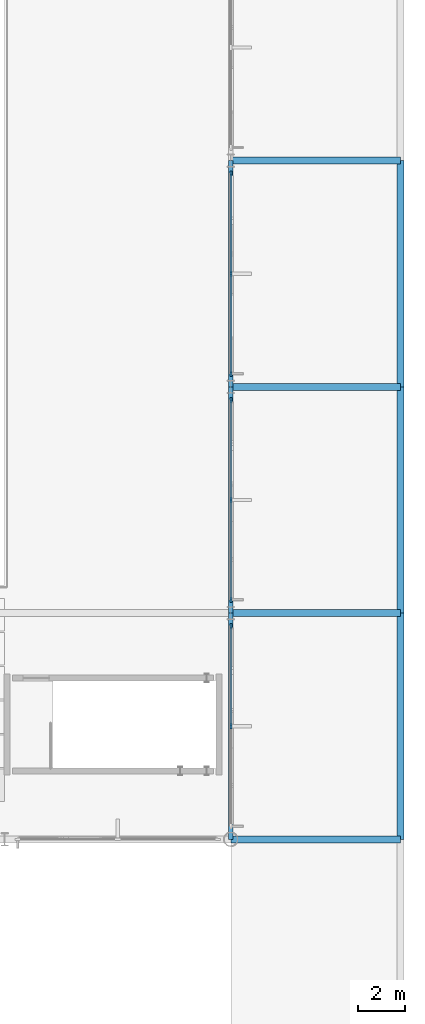
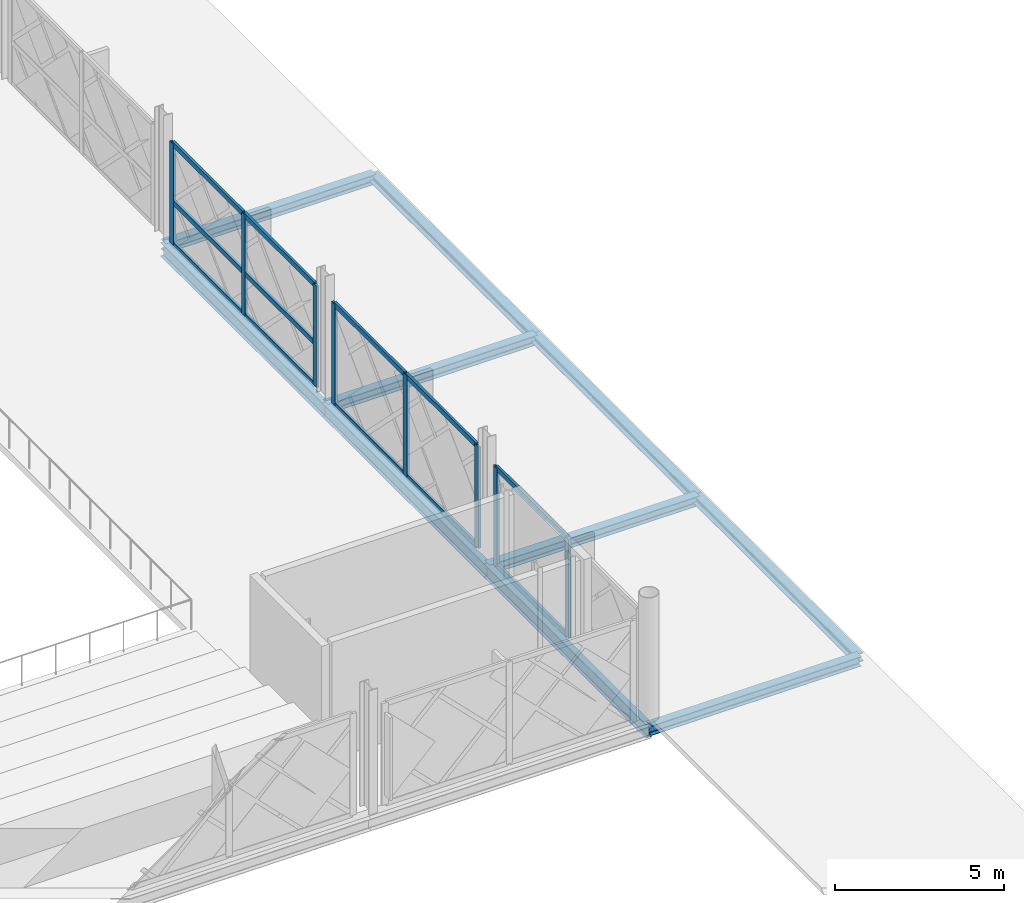
# One storey, part 56 of 101: 20 members, 10 beams, 3 elements without a shape of their own.
"""IFC4 building model written with IfcOpenShell, lengths in metres."""

from ifc_helpers import new_model, si_unit, direction, frame, origin, origin_2d, place, context, subcontext, project, spatial, rectangle, i_section, extrude, material, layer, layer_set, material_profile, profile_set, type_object, element, aggregate, save


model = new_model("IFC4")

# Units and contexts
model_context = context("Model", 3, precision=1e-05, world=origin(), true_north=direction((0.0, 1.0)))
body_context = subcontext(model_context, "Body", "Model", "MODEL_VIEW")
ifc_project = project(units=[si_unit("LENGTHUNIT", "METRE"), si_unit("AREAUNIT", "SQUARE_METRE"), si_unit("VOLUMEUNIT", "CUBIC_METRE"), si_unit("PLANEANGLEUNIT", "RADIAN"), si_unit("MASSUNIT", "GRAM", prefix="KILO")], contexts=[model_context])

# Site, building, storey
site_placement = place(None, origin())
site = spatial("IfcSite", under=ifc_project, at=site_placement, CompositionType="ELEMENT")
building_placement = place(site_placement, origin())
building = spatial("IfcBuilding", under=site, at=building_placement, Name="Zevrakil Square Congress Hotel", CompositionType="ELEMENT")
storey_placement = place(building_placement, frame((0.0, 0.0, 5.39990234375)))
storey = spatial("IfcBuildingStorey", under=building, at=storey_placement, Name="L02", CompositionType="ELEMENT", Elevation=5.39990234375)

# Beams
ifc_material_1 = material(Name="Steel S355", Category="steel")
ifc_material_profile_1 = material_profile(ifc_material_1, i_section(OverallWidth=0.300048828125, OverallDepth=0.35009765625, WebThickness=0.010009765625, FlangeThickness=0.017578125, FilletRadius=0.027099609375, at=origin_2d()), Name="HEA 360")
ifc_profile_set_1 = profile_set([ifc_material_profile_1], Name="Steel S355")
beam_type_1 = type_object("IfcBeamType", Name="BM-HEA360", PredefinedType="BEAM", material=ifc_profile_set_1)
for number, where, z_axis, x_axis, name in (
    (1, (165.60009765625, 64.800048828125, -0.434814453125), (1.0, 0.0, 0.0), (0.0, 1.0, 0.0), "L02 primary girder BX-0759"),
    (2, (165.60009765625, 74.39990234375, -0.434814453125), (1.0, 0.0, 0.0), (0.0, 1.0, 0.0), "L02 primary girder BX-0768"),
    (3, (165.60009765625, 84.0, -0.434814453125), (1.0, 0.0, 0.0), (0.0, 1.0, 0.0), "L02 primary girder BX-0778"),
    (4, (165.60009765625, 93.60009765625, -0.434814453125), (1.0, 0.0, 0.0), (0.0, 1.0, 0.0), "L02 primary girder BX-0788"),
):
    element("IfcBeam", number, at=place(storey_placement, frame(where, z_axis=z_axis, x_axis=x_axis)), inside=storey, type_object=beam_type_1, Name=name, PredefinedType="BEAM", context=body_context, shape_type="SweptSolid", body=[
        extrude(i_section(OverallWidth=0.300048828125, OverallDepth=0.35009765625, WebThickness=0.010009765625, FlangeThickness=0.017578125, FilletRadius=0.027099609375, at=origin_2d()), origin(), (0.0, 0.0, 1.0), 7.199951171875),
    ])
ifc_material_2 = material(Name="Steel S355", Category="steel")
ifc_material_profile_2 = material_profile(ifc_material_2, i_section(OverallWidth=0.199951171875, OverallDepth=0.5, WebThickness=0.01025390625, FlangeThickness=0.01611328125, FilletRadius=0.02099609375, at=origin_2d()), Name="IPE 500")
ifc_profile_set_2 = profile_set([ifc_material_profile_2], Name="Steel S355")
beam_type_2 = type_object("IfcBeamType", Name="BM-IPE500", PredefinedType="BEAM", material=ifc_profile_set_2)
beam_1_placement = place(storey_placement, frame((165.60009765625, 64.800048828125, -0.510009765625), z_axis=(0.0, 1.0, 0.0), x_axis=(-1.0, 0.0, 0.0)))
element("IfcBeam", 5, at=beam_1_placement, inside=storey, type_object=beam_type_2, Name="L02 primary girder BY-0951", PredefinedType="BEAM", context=body_context, shape_type="SweptSolid", body=[
    extrude(i_section(OverallWidth=0.199951171875, OverallDepth=0.5, WebThickness=0.01025390625, FlangeThickness=0.01611328125, FilletRadius=0.02099609375, at=origin_2d()), origin(), (0.0, 0.0, 1.0), 9.599853515625),
])
for number, where, z_axis, x_axis, name in (
    (6, (165.60009765625, 74.39990234375, -0.510009765625), (0.0, 1.0, 0.0), (-1.0, 0.0, 0.0), "L02 primary girder BY-0952"),
    (7, (165.60009765625, 84.0, -0.510009765625), (0.0, 1.0, 0.0), (-1.0, 0.0, 0.0), "L02 primary girder BY-0953"),
):
    element("IfcBeam", number, at=place(storey_placement, frame(where, z_axis=z_axis, x_axis=x_axis)), inside=storey, type_object=beam_type_2, Name=name, PredefinedType="BEAM", context=body_context, shape_type="SweptSolid", body=[
        extrude(i_section(OverallWidth=0.199951171875, OverallDepth=0.5, WebThickness=0.01025390625, FlangeThickness=0.01611328125, FilletRadius=0.02099609375, at=origin_2d()), origin(), (0.0, 0.0, 1.0), 9.60009765625),
    ])

# Curtain wall, members
ifc_material_3 = material(Name="Aluminium Anodised Bronze", Category="aluminium")
ifc_layer = layer(ifc_material_3, 0.179931640625)
ifc_layer_set = layer_set([ifc_layer], Name="Aluminium Anodised Bronze")
curtain_wall_type = type_object("IfcCurtainWallType", Name="CW-L02-840", PredefinedType="USERDEFINED", material=ifc_layer_set)
curtain_wall_1_placement = place(storey_placement, origin())
curtain_wall_1 = element("IfcCurtainWall", 8, at=curtain_wall_1_placement, inside=storey, type_object=curtain_wall_type, Name="L02 diamond curtain wall CW-L02-0049", ObjectType="GLAZED CURTAIN WALL", PredefinedType="USERDEFINED")
ifc_material_4 = material(Name="Aluminium Anodised Bronze", Category="aluminium")
ifc_material_profile_3 = material_profile(ifc_material_4, rectangle(XDim=0.0849609375, YDim=0.179931640625, at=origin_2d()), Name="ALU 85x180")
ifc_profile_set_3 = profile_set([ifc_material_profile_3], Name="Aluminium Anodised Bronze")
member_type_1 = type_object("IfcMemberType", Name="CWM-ALU85x180", PredefinedType="USERDEFINED", material=ifc_profile_set_3)
member_1_placement = place(storey_placement, frame((165.60009765625, 69.6298828125, 0.030029296875), z_axis=(0.0, 1.0, 0.0), x_axis=(-1.0, 0.0, 0.0)))
member_1 = element("IfcMember", 9, at=member_1_placement, type_object=member_type_1, Name="CW-23 transom 2.1", ObjectType="TRANSOM", PredefinedType="USERDEFINED", context=body_context, shape_type="SweptSolid", body=[
    extrude(rectangle(XDim=0.0849609375, YDim=0.179931640625, at=origin_2d()), origin(), (0.0, 0.0, 1.0), 4.190185546875),
])
member_2_placement = place(storey_placement, frame((165.60009765625, 69.6298828125, 3.545166015625), z_axis=(0.0, 1.0, 0.0), x_axis=(-1.0, 0.0, 0.0)))
member_2 = element("IfcMember", 10, at=member_2_placement, type_object=member_type_1, Name="CW-23 transom 2.2", ObjectType="TRANSOM", PredefinedType="USERDEFINED", context=body_context, shape_type="SweptSolid", body=[
    extrude(rectangle(XDim=0.0849609375, YDim=0.179931640625, at=origin_2d()), origin(), (0.0, 0.0, 1.0), 4.190185546875),
])

curtain_wall_2_placement = place(storey_placement, origin())
curtain_wall_2 = element("IfcCurtainWall", 11, at=curtain_wall_2_placement, inside=storey, type_object=curtain_wall_type, Name="L02 diamond curtain wall CW-L02-0051", ObjectType="GLAZED CURTAIN WALL", PredefinedType="USERDEFINED")
member_3_placement = place(storey_placement, frame((165.60009765625, 74.97998046875, 0.030029296875), z_axis=(0.0, 1.0, 0.0), x_axis=(-1.0, 0.0, 0.0)))
member_3 = element("IfcMember", 12, at=member_3_placement, type_object=member_type_1, Name="CW-23 transom 1.1", ObjectType="TRANSOM", PredefinedType="USERDEFINED", context=body_context, shape_type="SweptSolid", body=[
    extrude(rectangle(XDim=0.0849609375, YDim=0.179931640625, at=origin_2d()), origin(), (0.0, 0.0, 1.0), 4.18994140625),
])
member_4_placement = place(storey_placement, frame((165.60009765625, 74.97998046875, 3.64501953125), z_axis=(0.0, 1.0, 0.0), x_axis=(-1.0, 0.0, 0.0)))
member_4 = element("IfcMember", 13, at=member_4_placement, type_object=member_type_1, Name="CW-23 transom 1.2", ObjectType="TRANSOM", PredefinedType="USERDEFINED", context=body_context, shape_type="SweptSolid", body=[
    extrude(rectangle(XDim=0.0849609375, YDim=0.179931640625, at=origin_2d()), origin(), (0.0, 0.0, 1.0), 4.18994140625),
])
member_5_placement = place(storey_placement, frame((165.60009765625, 79.22998046875, 0.030029296875), z_axis=(0.0, 1.0, 0.0), x_axis=(-1.0, 0.0, 0.0)))
member_5 = element("IfcMember", 14, at=member_5_placement, type_object=member_type_1, Name="CW-23 transom 2.1", ObjectType="TRANSOM", PredefinedType="USERDEFINED", context=body_context, shape_type="SweptSolid", body=[
    extrude(rectangle(XDim=0.0849609375, YDim=0.179931640625, at=origin_2d()), origin(), (0.0, 0.0, 1.0), 4.18994140625),
])
member_6_placement = place(storey_placement, frame((165.60009765625, 79.22998046875, 3.64501953125), z_axis=(0.0, 1.0, 0.0), x_axis=(-1.0, 0.0, 0.0)))
member_6 = element("IfcMember", 15, at=member_6_placement, type_object=member_type_1, Name="CW-23 transom 2.2", ObjectType="TRANSOM", PredefinedType="USERDEFINED", context=body_context, shape_type="SweptSolid", body=[
    extrude(rectangle(XDim=0.0849609375, YDim=0.179931640625, at=origin_2d()), origin(), (0.0, 0.0, 1.0), 4.18994140625),
])

curtain_wall_3_placement = place(storey_placement, origin())
curtain_wall_3 = element("IfcCurtainWall", 16, at=curtain_wall_3_placement, inside=storey, type_object=curtain_wall_type, Name="L02 diamond curtain wall CW-L02-0052", ObjectType="GLAZED CURTAIN WALL", PredefinedType="USERDEFINED")
member_7_placement = place(storey_placement, frame((165.60009765625, 84.580078125, 0.030029296875), z_axis=(0.0, 1.0, 0.0), x_axis=(-1.0, 0.0, 0.0)))
member_7 = element("IfcMember", 17, at=member_7_placement, type_object=member_type_1, Name="CW-23 transom 1.1", ObjectType="TRANSOM", PredefinedType="USERDEFINED", context=body_context, shape_type="SweptSolid", body=[
    extrude(rectangle(XDim=0.0849609375, YDim=0.179931640625, at=origin_2d()), origin(), (0.0, 0.0, 1.0), 4.18994140625),
])
member_8_placement = place(storey_placement, frame((165.60009765625, 84.580078125, 1.543701171875), z_axis=(0.0, 1.0, 0.0), x_axis=(-1.0, 0.0, 0.0)))
member_8 = element("IfcMember", 18, at=member_8_placement, type_object=member_type_1, Name="CW-23 transom 1.2", ObjectType="TRANSOM", PredefinedType="USERDEFINED", context=body_context, shape_type="SweptSolid", body=[
    extrude(rectangle(XDim=0.0849609375, YDim=0.179931640625, at=origin_2d()), origin(), (0.0, 0.0, 1.0), 4.18994140625),
])
member_9_placement = place(storey_placement, frame((165.60009765625, 84.580078125, 3.64501953125), z_axis=(0.0, 1.0, 0.0), x_axis=(-1.0, 0.0, 0.0)))
member_9 = element("IfcMember", 19, at=member_9_placement, type_object=member_type_1, Name="CW-23 transom 1.3", ObjectType="TRANSOM", PredefinedType="USERDEFINED", context=body_context, shape_type="SweptSolid", body=[
    extrude(rectangle(XDim=0.0849609375, YDim=0.179931640625, at=origin_2d()), origin(), (0.0, 0.0, 1.0), 4.18994140625),
])
member_10_placement = place(storey_placement, frame((165.60009765625, 88.830078125, 0.030029296875), z_axis=(0.0, 1.0, 0.0), x_axis=(-1.0, 0.0, 0.0)))
member_10 = element("IfcMember", 20, at=member_10_placement, type_object=member_type_1, Name="CW-23 transom 2.1", ObjectType="TRANSOM", PredefinedType="USERDEFINED", context=body_context, shape_type="SweptSolid", body=[
    extrude(rectangle(XDim=0.0849609375, YDim=0.179931640625, at=origin_2d()), origin(), (0.0, 0.0, 1.0), 4.18994140625),
])
member_11_placement = place(storey_placement, frame((165.60009765625, 88.830078125, 1.543701171875), z_axis=(0.0, 1.0, 0.0), x_axis=(-1.0, 0.0, 0.0)))
member_11 = element("IfcMember", 21, at=member_11_placement, type_object=member_type_1, Name="CW-23 transom 2.2", ObjectType="TRANSOM", PredefinedType="USERDEFINED", context=body_context, shape_type="SweptSolid", body=[
    extrude(rectangle(XDim=0.0849609375, YDim=0.179931640625, at=origin_2d()), origin(), (0.0, 0.0, 1.0), 4.18994140625),
])
member_12_placement = place(storey_placement, frame((165.60009765625, 88.830078125, 3.64501953125), z_axis=(0.0, 1.0, 0.0), x_axis=(-1.0, 0.0, 0.0)))
member_12 = element("IfcMember", 22, at=member_12_placement, type_object=member_type_1, Name="CW-23 transom 2.3", ObjectType="TRANSOM", PredefinedType="USERDEFINED", context=body_context, shape_type="SweptSolid", body=[
    extrude(rectangle(XDim=0.0849609375, YDim=0.179931640625, at=origin_2d()), origin(), (0.0, 0.0, 1.0), 4.18994140625),
])

# Member
ifc_material_5 = material(Name="Aluminium Anodised Bronze", Category="aluminium")
ifc_material_profile_4 = material_profile(ifc_material_5, rectangle(XDim=0.0849609375, YDim=0.219970703125, at=origin_2d()), Name="ALU 85x220")
ifc_profile_set_4 = profile_set([ifc_material_profile_4], Name="Aluminium Anodised Bronze")
member_type_2 = type_object("IfcMemberType", Name="CWM-ALU85x220", PredefinedType="MULLION", material=ifc_profile_set_4)
member_13_placement = place(storey_placement, frame((165.60009765625, 69.60009765625, 0.0), z_axis=(0.0, 0.0, 1.0), x_axis=(-1.0, 0.0, 0.0)))
member_13 = element("IfcMember", 23, at=member_13_placement, type_object=member_type_2, Name="CW-23 mullion 2", PredefinedType="MULLION", context=body_context, shape_type="SweptSolid", body=[
    extrude(rectangle(XDim=0.0849609375, YDim=0.219970703125, at=origin_2d()), origin(), (0.0, 0.0, 1.0), 3.5751953125),
])

member_14_placement = place(storey_placement, frame((165.60009765625, 73.85009765625, 0.0), z_axis=(0.0, 0.0, 1.0), x_axis=(-1.0, 0.0, 0.0)))
member_14 = element("IfcMember", 24, at=member_14_placement, type_object=member_type_2, Name="CW-23 mullion 3", PredefinedType="MULLION", context=body_context, shape_type="SweptSolid", body=[
    extrude(rectangle(XDim=0.0849609375, YDim=0.219970703125, at=origin_2d()), origin(), (0.0, 0.0, 1.0), 3.5751953125),
])

aggregate(curtain_wall_1, [member_13, member_14, member_1, member_2])

member_15_placement = place(storey_placement, frame((165.60009765625, 74.949951171875, 0.0), z_axis=(0.0, 0.0, 1.0), x_axis=(-1.0, 0.0, 0.0)))
member_15 = element("IfcMember", 25, at=member_15_placement, type_object=member_type_2, Name="CW-23 mullion 1", PredefinedType="MULLION", context=body_context, shape_type="SweptSolid", body=[
    extrude(rectangle(XDim=0.0849609375, YDim=0.219970703125, at=origin_2d()), origin(), (0.0, 0.0, 1.0), 3.675048828125),
])

member_16_placement = place(storey_placement, frame((165.60009765625, 79.199951171875, 0.0), z_axis=(0.0, 0.0, 1.0), x_axis=(-1.0, 0.0, 0.0)))
member_16 = element("IfcMember", 26, at=member_16_placement, type_object=member_type_2, Name="CW-23 mullion 2", PredefinedType="MULLION", context=body_context, shape_type="SweptSolid", body=[
    extrude(rectangle(XDim=0.0849609375, YDim=0.219970703125, at=origin_2d()), origin(), (0.0, 0.0, 1.0), 3.675048828125),
])

member_17_placement = place(storey_placement, frame((165.60009765625, 83.449951171875, 0.0), z_axis=(0.0, 0.0, 1.0), x_axis=(-1.0, 0.0, 0.0)))
member_17 = element("IfcMember", 27, at=member_17_placement, type_object=member_type_2, Name="CW-23 mullion 3", PredefinedType="MULLION", context=body_context, shape_type="SweptSolid", body=[
    extrude(rectangle(XDim=0.0849609375, YDim=0.219970703125, at=origin_2d()), origin(), (0.0, 0.0, 1.0), 3.675048828125),
])

aggregate(curtain_wall_2, [member_15, member_16, member_17, member_3, member_4, member_5, member_6])

member_18_placement = place(storey_placement, frame((165.60009765625, 84.550048828125, 0.0), z_axis=(0.0, 0.0, 1.0), x_axis=(-1.0, 0.0, 0.0)))
member_18 = element("IfcMember", 28, at=member_18_placement, type_object=member_type_2, Name="CW-23 mullion 1", PredefinedType="MULLION", context=body_context, shape_type="SweptSolid", body=[
    extrude(rectangle(XDim=0.0849609375, YDim=0.219970703125, at=origin_2d()), origin(), (0.0, 0.0, 1.0), 3.675048828125),
])

member_19_placement = place(storey_placement, frame((165.60009765625, 88.800048828125, 0.0), z_axis=(0.0, 0.0, 1.0), x_axis=(-1.0, 0.0, 0.0)))
member_19 = element("IfcMember", 29, at=member_19_placement, type_object=member_type_2, Name="CW-23 mullion 2", PredefinedType="MULLION", context=body_context, shape_type="SweptSolid", body=[
    extrude(rectangle(XDim=0.0849609375, YDim=0.219970703125, at=origin_2d()), origin(), (0.0, 0.0, 1.0), 3.675048828125),
])

member_20_placement = place(storey_placement, frame((165.60009765625, 93.050048828125, 0.0), z_axis=(0.0, 0.0, 1.0), x_axis=(-1.0, 0.0, 0.0)))
member_20 = element("IfcMember", 30, at=member_20_placement, type_object=member_type_2, Name="CW-23 mullion 3", PredefinedType="MULLION", context=body_context, shape_type="SweptSolid", body=[
    extrude(rectangle(XDim=0.0849609375, YDim=0.219970703125, at=origin_2d()), origin(), (0.0, 0.0, 1.0), 3.675048828125),
])

aggregate(curtain_wall_3, [member_18, member_19, member_20, member_7, member_8, member_9, member_10, member_11, member_12])

# Beams
ifc_material_6 = material(Name="Steel S355", Category="steel")
ifc_material_profile_5 = material_profile(ifc_material_6, i_section(OverallWidth=0.300048828125, OverallDepth=0.300048828125, WebThickness=0.010986328125, FlangeThickness=0.01904296875, FilletRadius=0.027099609375, at=origin_2d()), Name="HEB 300")
ifc_profile_set_5 = profile_set([ifc_material_profile_5], Name="Steel S355")
beam_type_3 = type_object("IfcBeamType", Name="SPD-RHS250", PredefinedType="SPANDREL", material=ifc_profile_set_5)
beam_2_placement = place(storey_placement, frame((172.800048828125, 64.800048828125, -0.409912109375), z_axis=(0.0, 1.0, 0.0), x_axis=(-1.0, 0.0, 0.0)))
element("IfcBeam", 31, at=beam_2_placement, inside=storey, type_object=beam_type_3, Name="L02 primary girder BY-0963", PredefinedType="SPANDREL", context=body_context, shape_type="SweptSolid", body=[
    extrude(i_section(OverallWidth=0.300048828125, OverallDepth=0.300048828125, WebThickness=0.010986328125, FlangeThickness=0.01904296875, FilletRadius=0.027099609375, at=origin_2d()), origin(), (0.0, 0.0, 1.0), 9.599853515625),
])
for number, where, z_axis, x_axis, name in (
    (32, (172.800048828125, 74.39990234375, -0.409912109375), (0.0, 1.0, 0.0), (-1.0, 0.0, 0.0), "L02 primary girder BY-0964"),
    (33, (172.800048828125, 84.0, -0.409912109375), (0.0, 1.0, 0.0), (-1.0, 0.0, 0.0), "L02 primary girder BY-0965"),
):
    element("IfcBeam", number, at=place(storey_placement, frame(where, z_axis=z_axis, x_axis=x_axis)), inside=storey, type_object=beam_type_3, Name=name, PredefinedType="SPANDREL", context=body_context, shape_type="SweptSolid", body=[
        extrude(i_section(OverallWidth=0.300048828125, OverallDepth=0.300048828125, WebThickness=0.010986328125, FlangeThickness=0.01904296875, FilletRadius=0.027099609375, at=origin_2d()), origin(), (0.0, 0.0, 1.0), 9.60009765625),
    ])

save(model, "model.ifc")
